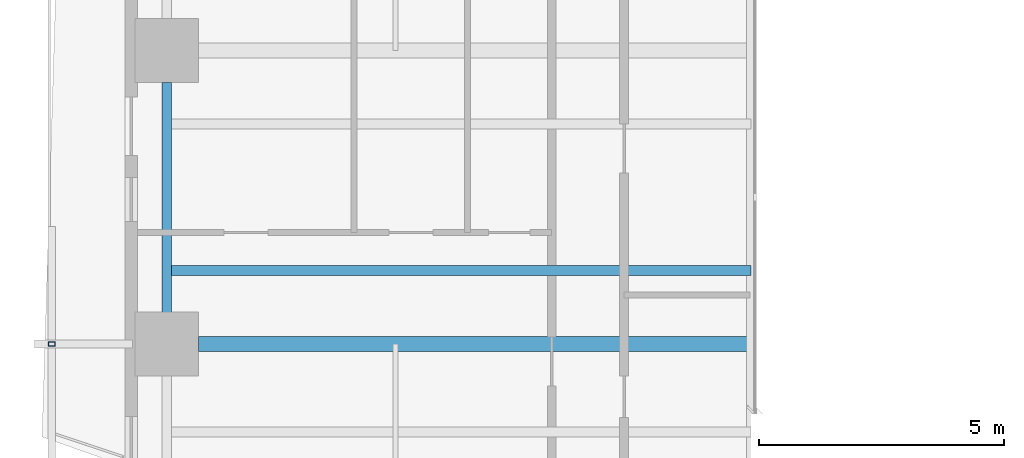
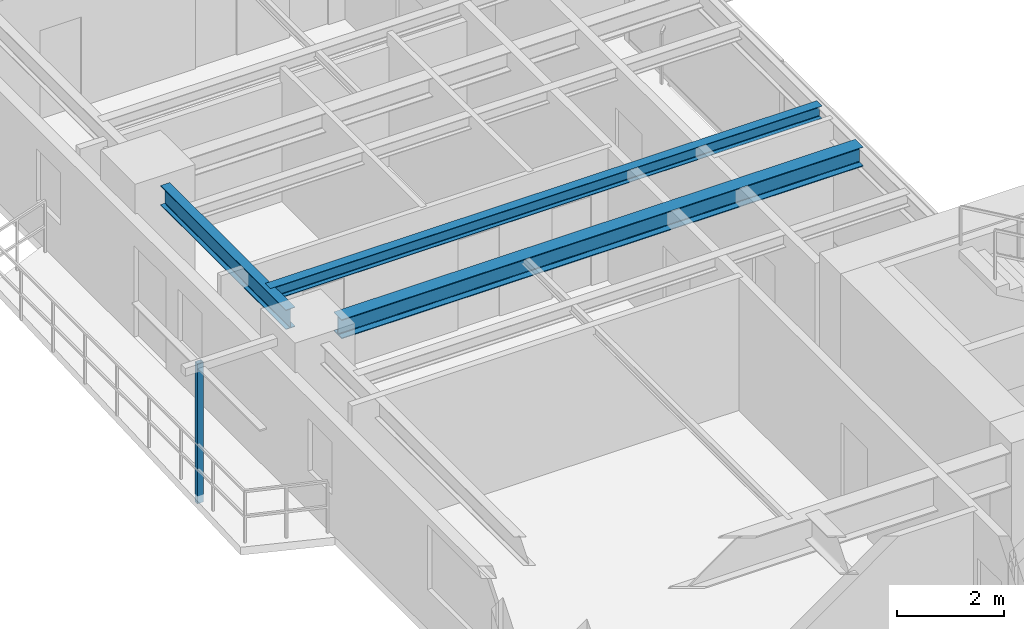
# One storey, part 3 of 24: 3 beams, 1 member.
"""IFC4 building model written with IfcOpenShell, lengths in metres."""

from ifc_helpers import new_model, si_unit, direction, frame, origin, origin_2d, place, context, subcontext, project, spatial, hollow_rectangle, i_section, extrude, source, transform, mapped, material, material_profile, profile_set, type_object, element, save


model = new_model("IFC4")

# Units and contexts
model_context = context("Model", 3, precision=1e-05, world=origin(), true_north=direction((0.0, 1.0)))
body_context = subcontext(model_context, "Body", "Model", "MODEL_VIEW")
ifc_project = project(units=[si_unit("LENGTHUNIT", "METRE"), si_unit("AREAUNIT", "SQUARE_METRE"), si_unit("VOLUMEUNIT", "CUBIC_METRE"), si_unit("PLANEANGLEUNIT", "RADIAN"), si_unit("MASSUNIT", "GRAM", prefix="KILO"), si_unit("THERMODYNAMICTEMPERATUREUNIT", "KELVIN"), si_unit("POWERUNIT", "WATT")], contexts=[model_context])

# Site, building, storey
site_placement = place(None, origin())
site = spatial("IfcSite", under=ifc_project, at=site_placement, CompositionType="ELEMENT")
building_placement = place(site_placement, origin())
building = spatial("IfcBuilding", under=site, at=building_placement, Name="Qiaomeng Ring Towers", CompositionType="ELEMENT")
storey_placement = place(building_placement, frame((0.0, 0.0, 42.5)))
storey = spatial("IfcBuildingStorey", under=building, at=storey_placement, Name="L11", CompositionType="ELEMENT", Elevation=42.5)

# Beams
ifc_material_1 = material(Name="Steel Q355B", Category="steel")
ifc_material_profile_1 = material_profile(ifc_material_1, i_section(OverallWidth=0.199951171875, OverallDepth=0.449951171875, WebThickness=0.009033203125, FlangeThickness=0.013916015625, FilletRadius=0.01806640625, at=origin_2d()), Name="HN 450x200x9x14")
ifc_profile_set_1 = profile_set([ifc_material_profile_1], Name="Steel Q355B")
beam_type_1 = type_object("IfcBeamType", Name="STR-BM-HN450", PredefinedType="SPANDREL", material=ifc_profile_set_1)
shared_shape_1 = source(origin(), body_context, "Body", "SweptSolid", [
    extrude(i_section(OverallWidth=0.199951171875, OverallDepth=0.449951171875, WebThickness=0.009033203125, FlangeThickness=0.013916015625, FilletRadius=0.01806640625, at=origin_2d()), origin(), (0.0, 0.0, 1.0), 4.7021484375),
])
beam_1_placement = place(storey_placement, frame((0.85009765625, 25.35107421875, 2.804931640625), z_axis=(0.0, -1.0, 0.0), x_axis=(1.0, 0.0, 0.0)))
element("IfcBeam", 1, at=beam_1_placement, inside=storey, type_object=beam_type_1, Name="L11 beam STR-SP-L11-T1-W3-W2", PredefinedType="SPANDREL", context=body_context, shape_type="MappedRepresentation", body=[
    mapped(shared_shape_1, transform((0.0, 0.0, 0.0), x_axis=(1.0, 0.0, 0.0), y_axis=(0.0, 1.0, 0.0), z_axis=(0.0, 0.0, 1.0), scale=1.0)),
])
ifc_material_profile_2 = material_profile(ifc_material_1, i_section(OverallWidth=0.300048828125, OverallDepth=0.43994140625, WebThickness=0.010986328125, FlangeThickness=0.01806640625, FilletRadius=0.02392578125, at=origin_2d()), Name="HM 440x300x11x18")
ifc_profile_set_2 = profile_set([ifc_material_profile_2], Name="Steel Q355B")
beam_type_2 = type_object("IfcBeamType", Name="STR-BM-HM440", PredefinedType="BEAM", material=ifc_profile_set_2)
shared_shape_2 = source(origin(), body_context, "Body", "SweptSolid", [
    extrude(i_section(OverallWidth=0.300048828125, OverallDepth=0.43994140625, WebThickness=0.010986328125, FlangeThickness=0.01806640625, FilletRadius=0.02392578125, at=origin_2d()), origin(), (0.0, 0.0, 1.0), 11.301025390625),
])
beam_2_placement = place(storey_placement, frame((1.4990234375, 20.0, 2.81005859375), z_axis=(1.0, 0.0, 0.0), x_axis=(0.0, 1.0, 0.0)))
element("IfcBeam", 2, at=beam_2_placement, inside=storey, type_object=beam_type_2, Name="L11 beam STR-BM-L11-T1-RAD-W2", PredefinedType="BEAM", context=body_context, shape_type="MappedRepresentation", body=[
    mapped(shared_shape_2, transform((0.0, 0.0, 0.0), x_axis=(1.0, 0.0, 0.0), y_axis=(0.0, 1.0, 0.0), z_axis=(0.0, 0.0, 1.0), scale=1.0)),
])
ifc_material_profile_3 = material_profile(ifc_material_1, i_section(OverallWidth=0.199951171875, OverallDepth=0.2939453125, WebThickness=0.008056640625, FlangeThickness=0.011962890625, FilletRadius=0.01806640625, at=origin_2d()), Name="HM 294x200x8x12")
ifc_profile_set_3 = profile_set([ifc_material_profile_3], Name="Steel Q355B")
beam_type_3 = type_object("IfcBeamType", Name="STR-BM-HM294", PredefinedType="JOIST", material=ifc_profile_set_3)
shared_shape_3 = source(origin(), body_context, "Body", "SweptSolid", [
    extrude(i_section(OverallWidth=0.199951171875, OverallDepth=0.2939453125, WebThickness=0.008056640625, FlangeThickness=0.011962890625, FilletRadius=0.01806640625, at=origin_2d()), origin(), (0.0, 0.0, 1.0), 11.949951171875),
])
beam_3_placement = place(storey_placement, frame((0.85009765625, 21.5, 2.883056640625), z_axis=(1.0, 0.0, 0.0), x_axis=(0.0, 1.0, 0.0)))
element("IfcBeam", 3, at=beam_3_placement, inside=storey, type_object=beam_type_3, Name="L11 beam STR-JST-L11-T1W-2", PredefinedType="JOIST", context=body_context, shape_type="MappedRepresentation", body=[
    mapped(shared_shape_3, transform((0.0, 0.0, 0.0), x_axis=(1.0, 0.0, 0.0), y_axis=(0.0, 1.0, 0.0), z_axis=(0.0, 0.0, 1.0), scale=1.0)),
])

# Member
ifc_material_2 = material(Name="Stainless steel 316", Category="steel")
ifc_material_profile_4 = material_profile(ifc_material_2, hollow_rectangle(XDim=0.090087890625, YDim=0.139892578125, WallThickness=0.0048828125, at=origin_2d()), Name="SS TRELLIS 90x140")
ifc_profile_set_4 = profile_set([ifc_material_profile_4], Name="Stainless steel 316")
member_type = type_object("IfcMemberType", Name="ARC-TR-POST1", PredefinedType="STUD", material=ifc_profile_set_4)
shared_shape_4 = source(origin(), body_context, "Body", "SweptSolid", [
    extrude(hollow_rectangle(XDim=0.090087890625, YDim=0.139892578125, WallThickness=0.0048828125, at=origin_2d()), origin(), (0.0, 0.0, 1.0), 3.2099609375),
])
member_placement = place(storey_placement, frame((-1.5, 20.0, -0.179931640625), z_axis=(0.0, 0.0, 1.0), x_axis=(0.0, 1.0, 0.0)))
element("IfcMember", 4, at=member_placement, inside=storey, type_object=member_type, Name="L11 Outer Ventilated Trellis Post W", PredefinedType="STUD", context=body_context, shape_type="MappedRepresentation", body=[
    mapped(shared_shape_4, transform((0.0, 0.0, 0.0), x_axis=(1.0, 0.0, 0.0), y_axis=(0.0, 1.0, 0.0), z_axis=(0.0, 0.0, 1.0), scale=1.0)),
])

save(model, "model.ifc")
